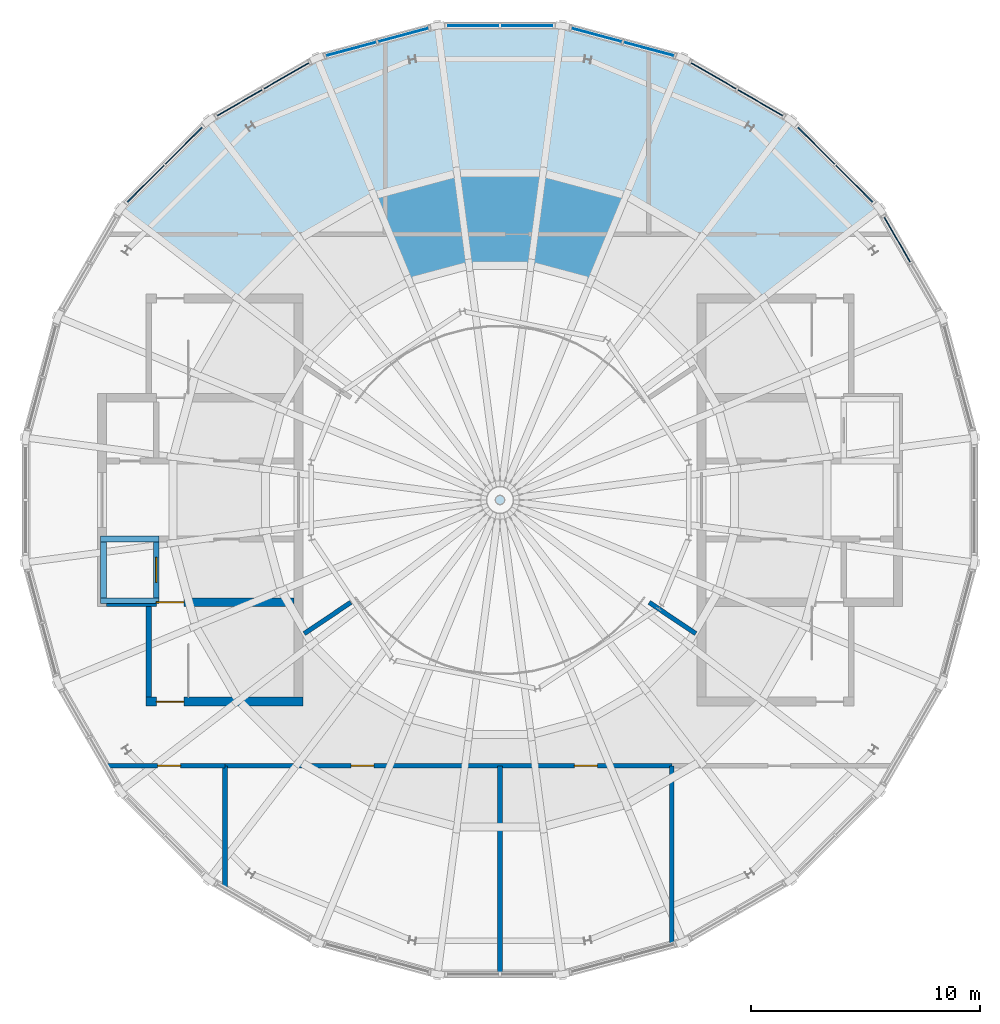
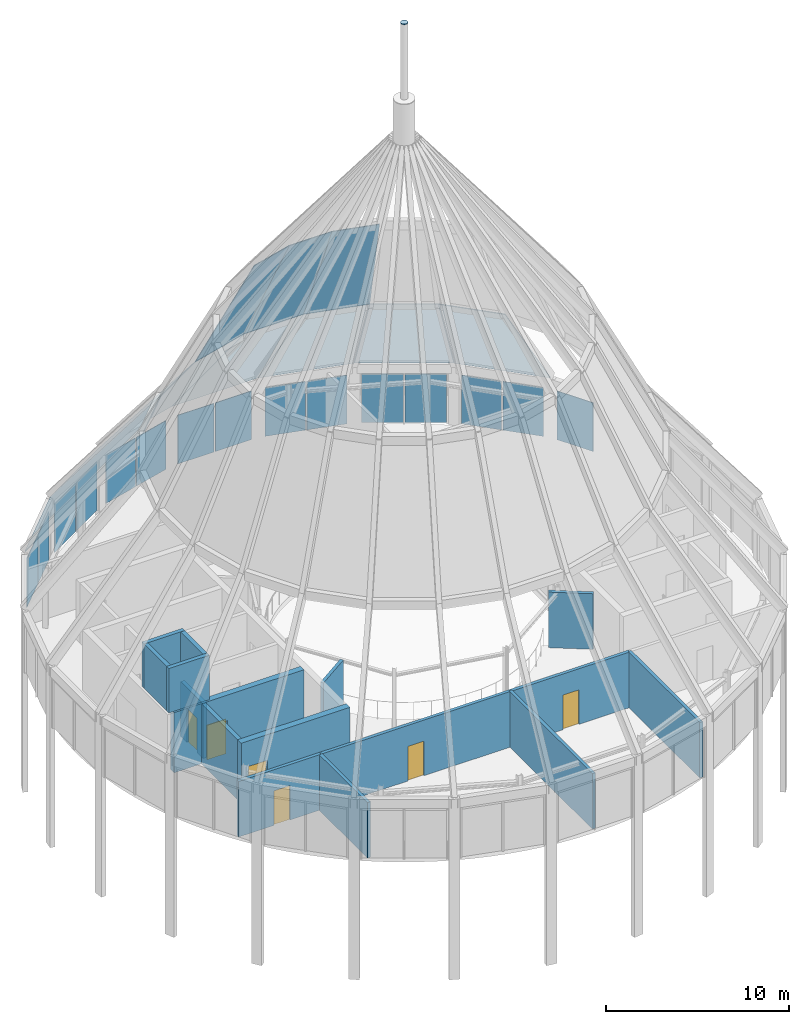
# One storey, part 13 of 16: 26 plates, 15 walls, 6 doors, 6 openings, 8 elements without a shape of their own.
"""IFC4 building model written with IfcOpenShell, lengths in metres."""

from ifc_helpers import new_model, si_unit, direction, frame, frame_2d, origin, origin_2d, place, context, subcontext, project, spatial, polyline, rectangle, outline, extrude, material, layer, layer_set, type_object, element, fill, aggregate, save


model = new_model("IFC4")

# Units and contexts
model_context = context("Model", 3, precision=1e-05, world=origin(), true_north=direction((0.0, 1.0)))
body_context = subcontext(model_context, "Body", "Model", "MODEL_VIEW")
ifc_project = project(units=[si_unit("LENGTHUNIT", "METRE"), si_unit("AREAUNIT", "SQUARE_METRE"), si_unit("VOLUMEUNIT", "CUBIC_METRE"), si_unit("PLANEANGLEUNIT", "RADIAN"), si_unit("MASSUNIT", "GRAM", prefix="KILO")], contexts=[model_context])

# Site, building, storey
site_placement = place(None, origin())
site = spatial("IfcSite", under=ifc_project, at=site_placement, CompositionType="ELEMENT")
building_placement = place(site_placement, origin())
building = spatial("IfcBuilding", under=site, at=building_placement, Name="Maasbend Ring Residences", CompositionType="ELEMENT")
storey_placement = place(building_placement, frame((0.0, 0.0, 269.5)))
storey = spatial("IfcBuildingStorey", under=building, at=storey_placement, Name="L77", CompositionType="ELEMENT", Elevation=269.5)

# Plates
ifc_material_1 = material(Name="Steel S355J2", Category="steel")
ifc_layer_1 = layer(ifc_material_1, 0.0400390625)
ifc_layer_set_1 = layer_set([ifc_layer_1], Name="Steel S355J2")
plate_type_1 = type_object("IfcPlateType", Name="CROWN-CAP", PredefinedType="USERDEFINED", material=ifc_layer_set_1)
plate_1_placement = place(storey_placement, frame((0.0, 0.0, 41.10009765625)))
element("IfcPlate", 1, at=plate_1_placement, inside=storey, type_object=plate_type_1, Name="Spire mast cap", ObjectType="CROWN FRAME", PredefinedType="USERDEFINED", context=body_context, shape_type="SweptSolid", body=[
    extrude(outline(polyline([(0.199951171875, 0.0), (0.193115234375, 0.0517578125), (0.173095703125, 0.10009765625), (0.141357421875, 0.141357421875), (0.10009765625, 0.173095703125), (0.0517578125, 0.193115234375), (0.0, 0.199951171875), (-0.0517578125, 0.193115234375), (-0.10009765625, 0.173095703125), (-0.141357421875, 0.141357421875), (-0.173095703125, 0.10009765625), (-0.193115234375, 0.0517578125), (-0.199951171875, 0.0), (-0.193115234375, -0.0517578125), (-0.173095703125, -0.10009765625), (-0.141357421875, -0.141357421875), (-0.10009765625, -0.173095703125), (-0.0517578125, -0.193115234375), (0.0, -0.199951171875), (0.0517578125, -0.193115234375), (0.10009765625, -0.173095703125), (0.141357421875, -0.141357421875), (0.173095703125, -0.10009765625), (0.193115234375, -0.0517578125), (0.199951171875, 0.0)])), origin(), (0.0, 0.0, 1.0), 0.039794921875),
])
ifc_material_2 = material(Name="Glass clear laminated", Category="glass")
ifc_layer_2 = layer(ifc_material_2, 0.044921875)
ifc_layer_set_2 = layer_set([ifc_layer_2], Name="CROWN-GLASS")
plate_type_2 = type_object("IfcPlateType", Name="CROWN-GLASS", PredefinedType="SHEET", material=ifc_layer_set_2)
plate_2_placement = place(storey_placement, frame((16.557373046875, 12.704833984375, 4.0), z_axis=(0.562145508839, 0.562145508839, 0.606617551498), x_axis=(-0.707106781187, 0.707106781187, 0.0)))
element("IfcPlate", 2, at=plate_2_placement, inside=storey, type_object=plate_type_2, Name="Crown glazing sheet", PredefinedType="SHEET", context=body_context, shape_type="SweptSolid", body=[
    extrude(outline(polyline([(0.0, 0.0), (5.44831299175963, 0.0), (4.60171834944058, 10.601313479147674), (0.84659464231905, 10.601313479147672), (0.0, 0.0)])), origin(), (0.0, 0.0, -1.0), 0.044921875),
])
plate_3_placement = place(storey_placement, frame((12.704833984375, 16.557373046875, 4.0), z_axis=(0.397490490515, 0.688495625981, 0.606609497911), x_axis=(-0.866035977707, 0.499981684888, 9.664316e-06)))
element("IfcPlate", 3, at=plate_3_placement, inside=storey, type_object=plate_type_2, Name="Crown glazing sheet", PredefinedType="SHEET", context=body_context, shape_type="SweptSolid", body=[
    extrude(outline(polyline([(0.0, 0.0), (5.448072989126844, 0.0), (4.601703592551343, 10.601175593745907), (0.8469203054736861, 10.601287467105307), (0.0, 0.0)])), origin(), (0.0, 0.0, -1.0), 0.044921875),
])
plate_4_placement = place(storey_placement, frame((7.986572265625, 19.28125, 4.0), z_axis=(0.205755374284, 0.767912969767, 0.606608932359), x_axis=(-0.965925611432, 0.258819846719, -1.10968e-05)))
element("IfcPlate", 4, at=plate_4_placement, inside=storey, type_object=plate_type_2, Name="Crown glazing sheet", PredefinedType="SHEET", context=body_context, shape_type="SweptSolid", body=[
    extrude(outline(polyline([(0.0, 0.0), (5.448112790301781, 1.1102230246251565e-16), (4.601402186144563, 10.601290007020706), (0.84654528346327, 10.60116154982748), (0.0, 0.0)])), origin(), (0.0, 0.0, -1.0), 0.044921875),
])
plate_5_placement = place(storey_placement, frame((5.50439453125, 13.288818359375, 12.427978515625), z_axis=(0.231991613921, 0.865821604581, 0.443320245547), x_axis=(-0.965928940506, 0.25880742201, 1.4338257e-05)))
element("IfcPlate", 5, at=plate_5_placement, inside=storey, type_object=plate_type_2, Name="Crown glazing sheet", PredefinedType="SHEET", context=body_context, shape_type="SweptSolid", body=[
    extrude(outline(polyline([(0.0, 0.0), (3.7548569042373616, 0.0), (3.2257794426731663, 9.066532401320881), (0.5293779883655266, 9.066635595863435), (0.0, 0.0)])), origin(), (0.0, 0.0, -1.0), 0.044921875),
])
plate_6_placement = place(storey_placement, frame((2.72412109375, 20.69140625, 4.0), z_axis=(0.0, 0.794995377605, 0.606615487428), x_axis=(-1.0, 0.0, 0.0)))
element("IfcPlate", 6, at=plate_6_placement, inside=storey, type_object=plate_type_2, Name="Crown glazing sheet", PredefinedType="SHEET", context=body_context, shape_type="SweptSolid", body=[
    extrude(outline(polyline([(0.0, 0.0), (5.4482421875, 0.0), (4.6015625, 10.601292476715138), (0.8466796875, 10.601292476715138), (0.0, 0.0)])), origin(), (0.0, 0.0, -1.0), 0.044921875),
])
plate_7_placement = place(storey_placement, frame((1.87744140625, 14.260498046875, 12.427978515625), z_axis=(0.0, 0.896368255376, 0.443310219546), x_axis=(-1.0, 0.0, 0.0)))
element("IfcPlate", 7, at=plate_7_placement, inside=storey, type_object=plate_type_2, Name="Crown glazing sheet", PredefinedType="SHEET", context=body_context, shape_type="SweptSolid", body=[
    extrude(outline(polyline([(0.0, 0.0), (3.7548828125, 0.0), (3.225830078125, 9.066533845055414), (0.529052734375, 9.066533845055414), (0.0, 0.0)])), origin(), (0.0, 0.0, -1.0), 0.044921875),
])
plate_8_placement = place(storey_placement, frame((-2.72412109375, 20.69140625, 4.0), z_axis=(-0.205755374284, 0.767912969767, 0.606608932359), x_axis=(-0.965925611432, -0.258819846719, 1.10968e-05)))
element("IfcPlate", 8, at=plate_8_placement, inside=storey, type_object=plate_type_2, Name="Crown glazing sheet", PredefinedType="SHEET", context=body_context, shape_type="SweptSolid", body=[
    extrude(outline(polyline([(0.0, 0.0), (5.448112790301781, -1.1102230246251565e-16), (4.601567506838512, 10.60116154982748), (0.8467106041572189, 10.601290007020706), (0.0, 0.0)])), origin(), (0.0, 0.0, -1.0), 0.044921875),
])
plate_9_placement = place(storey_placement, frame((-1.87744140625, 14.260498046875, 12.427978515625), z_axis=(-0.231991613921, 0.865821604581, 0.443320245547), x_axis=(-0.965928940506, -0.25880742201, -1.4338257e-05)))
element("IfcPlate", 9, at=plate_9_placement, inside=storey, type_object=plate_type_2, Name="Crown glazing sheet", PredefinedType="SHEET", context=body_context, shape_type="SweptSolid", body=[
    extrude(outline(polyline([(0.0, 0.0), (3.7548569042373616, 0.0), (3.2254789158718347, 9.066635595863435), (0.5290774615641951, 9.066532401320881), (0.0, 0.0)])), origin(), (0.0, 0.0, -1.0), 0.044921875),
])
plate_10_placement = place(storey_placement, frame((-7.986572265625, 19.28125, 4.0), z_axis=(-0.397490490515, 0.688495625981, 0.606609497911), x_axis=(-0.866035977707, -0.499981684888, -9.664316e-06)))
element("IfcPlate", 10, at=plate_10_placement, inside=storey, type_object=plate_type_2, Name="Crown glazing sheet", PredefinedType="SHEET", context=body_context, shape_type="SweptSolid", body=[
    extrude(outline(polyline([(0.0, 0.0), (5.448072989126844, 0.0), (4.60115268365316, 10.601287467105307), (0.8463693965755011, 10.601175593745907), (0.0, 0.0)])), origin(), (0.0, 0.0, -1.0), 0.044921875),
])
plate_11_placement = place(storey_placement, frame((-12.704833984375, 16.557373046875, 4.0), z_axis=(-0.562145508839, 0.562145508839, 0.606617551498), x_axis=(-0.707106781187, -0.707106781187, 0.0)))
element("IfcPlate", 11, at=plate_11_placement, inside=storey, type_object=plate_type_2, Name="Crown glazing sheet", PredefinedType="SHEET", context=body_context, shape_type="SweptSolid", body=[
    extrude(outline(polyline([(0.0, 0.0), (5.44831299175963, 0.0), (4.60171834944058, 10.601313479147674), (0.84659464231905, 10.601313479147672), (0.0, 0.0)])), origin(), (0.0, 0.0, -1.0), 0.044921875),
])

# Curtain wall, plate
ifc_material_3 = material(Name="Aluminium and clear glass", Category="aluminium")
ifc_layer_3 = layer(ifc_material_3, 0.239990234375)
ifc_layer_set_3 = layer_set([ifc_layer_3], Name="CW-CN")
curtain_wall_type = type_object("IfcCurtainWallType", Name="CW-CN", PredefinedType="NOTDEFINED", material=ifc_layer_set_3)
curtain_wall_1_placement = place(storey_placement, origin())
curtain_wall_1 = element("IfcCurtainWall", 12, at=curtain_wall_1_placement, inside=storey, type_object=curtain_wall_type, Name="Crown drum glazing 02 L77", PredefinedType="NOTDEFINED")
ifc_material_4 = material(Name="Glass clear laminated", Category="glass")
ifc_layer_4 = layer(ifc_material_4, 0.0400390625)
ifc_layer_set_4 = layer_set([ifc_layer_4], Name="CWP-CN")
plate_type_3 = type_object("IfcPlateType", Name="CWP-CN", PredefinedType="CURTAIN_PANEL", material=ifc_layer_set_4)
plate_12_placement = place(storey_placement, frame((17.32958984375, 11.3671875, 0.0), z_axis=(0.0, 0.0, 1.0), x_axis=(-0.5, 0.866025403784, 0.0)))
plate_12 = element("IfcPlate", 13, at=plate_12_placement, type_object=plate_type_3, Name="Glass panel crown cone", PredefinedType="CURTAIN_PANEL", context=body_context, shape_type="SweptSolid", body=[
    extrude(rectangle(XDim=2.26904296875, YDim=0.0400390625, at=origin_2d()), origin(), (0.0, 0.0, 1.0), 3.239990234375),
])
aggregate(curtain_wall_1, [plate_12])

# Curtain wall, plates
curtain_wall_2_placement = place(storey_placement, origin())
curtain_wall_2 = element("IfcCurtainWall", 14, at=curtain_wall_2_placement, inside=storey, type_object=curtain_wall_type, Name="Crown drum glazing 03 L77", PredefinedType="NOTDEFINED")
plate_13_placement = place(storey_placement, frame((15.465087890625, 13.797119140625, 0.0), z_axis=(0.0, 0.0, 1.0), x_axis=(-0.707106781187, 0.707106781187, 0.0)))
plate_13 = element("IfcPlate", 15, at=plate_13_placement, type_object=plate_type_3, Name="Glass panel crown cone", PredefinedType="CURTAIN_PANEL", context=body_context, shape_type="SweptSolid", body=[
    extrude(rectangle(XDim=2.26904296875, YDim=0.0400390625, at=origin_2d()), origin(), (0.0, 0.0, 1.0), 3.239990234375),
])
plate_14_placement = place(storey_placement, frame((13.797119140625, 15.465087890625, 0.0), z_axis=(0.0, 0.0, 1.0), x_axis=(-0.707106781187, 0.707106781187, 0.0)))
plate_14 = element("IfcPlate", 16, at=plate_14_placement, type_object=plate_type_3, Name="Glass panel crown cone", PredefinedType="CURTAIN_PANEL", context=body_context, shape_type="SweptSolid", body=[
    extrude(rectangle(XDim=2.26904296875, YDim=0.0400390625, at=origin_2d()), origin(), (0.0, 0.0, 1.0), 3.239990234375),
])
aggregate(curtain_wall_2, [plate_13, plate_14])

curtain_wall_3_placement = place(storey_placement, origin())
curtain_wall_3 = element("IfcCurtainWall", 17, at=curtain_wall_3_placement, inside=storey, type_object=curtain_wall_type, Name="Crown drum glazing 04 L77", PredefinedType="NOTDEFINED")
plate_15_placement = place(storey_placement, frame((11.3671875, 17.32958984375, 0.0), z_axis=(0.0, 0.0, 1.0), x_axis=(-0.866025403784, 0.5, 0.0)))
plate_15 = element("IfcPlate", 18, at=plate_15_placement, type_object=plate_type_3, Name="Glass panel crown cone", PredefinedType="CURTAIN_PANEL", context=body_context, shape_type="SweptSolid", body=[
    extrude(rectangle(XDim=2.26904296875, YDim=0.0400390625, at=origin_2d()), origin(), (0.0, 0.0, 1.0), 3.239990234375),
])
plate_16_placement = place(storey_placement, frame((9.32421875, 18.509033203125, 0.0), z_axis=(0.0, 0.0, 1.0), x_axis=(-0.866025403784, 0.5, 0.0)))
plate_16 = element("IfcPlate", 19, at=plate_16_placement, type_object=plate_type_3, Name="Glass panel crown cone", PredefinedType="CURTAIN_PANEL", context=body_context, shape_type="SweptSolid", body=[
    extrude(rectangle(XDim=2.26904296875, YDim=0.0400390625, at=origin_2d()), origin(), (0.0, 0.0, 1.0), 3.239990234375),
])
aggregate(curtain_wall_3, [plate_15, plate_16])

curtain_wall_4_placement = place(storey_placement, origin())
curtain_wall_4 = element("IfcCurtainWall", 20, at=curtain_wall_4_placement, inside=storey, type_object=curtain_wall_type, Name="Crown drum glazing 05 L77", PredefinedType="NOTDEFINED")
plate_17_placement = place(storey_placement, frame((6.49462890625, 19.68115234375, 0.0), z_axis=(0.0, 0.0, 1.0), x_axis=(-0.965925826289, 0.258819045103, 0.0)))
plate_17 = element("IfcPlate", 21, at=plate_17_placement, type_object=plate_type_3, Name="Glass panel crown cone", PredefinedType="CURTAIN_PANEL", context=body_context, shape_type="SweptSolid", body=[
    extrude(rectangle(XDim=2.26904296875, YDim=0.0400390625, at=origin_2d()), origin(), (0.0, 0.0, 1.0), 3.239990234375),
])
plate_18_placement = place(storey_placement, frame((4.216064453125, 20.291748046875, 0.0), z_axis=(0.0, 0.0, 1.0), x_axis=(-0.965925826289, 0.258819045103, 0.0)))
plate_18 = element("IfcPlate", 22, at=plate_18_placement, type_object=plate_type_3, Name="Glass panel crown cone", PredefinedType="CURTAIN_PANEL", context=body_context, shape_type="SweptSolid", body=[
    extrude(rectangle(XDim=2.26904296875, YDim=0.0400390625, at=origin_2d()), origin(), (0.0, 0.0, 1.0), 3.239990234375),
])
aggregate(curtain_wall_4, [plate_17, plate_18])

curtain_wall_5_placement = place(storey_placement, origin())
curtain_wall_5 = element("IfcCurtainWall", 23, at=curtain_wall_5_placement, inside=storey, type_object=curtain_wall_type, Name="Crown drum glazing 06 L77", PredefinedType="NOTDEFINED")
plate_19_placement = place(storey_placement, frame((1.179443359375, 20.69140625, 0.0), z_axis=(0.0, 0.0, 1.0), x_axis=(-1.0, 0.0, 0.0)))
plate_19 = element("IfcPlate", 24, at=plate_19_placement, type_object=plate_type_3, Name="Glass panel crown cone", PredefinedType="CURTAIN_PANEL", context=body_context, shape_type="SweptSolid", body=[
    extrude(rectangle(XDim=2.26904296875, YDim=0.0400390625, at=origin_2d()), origin(), (0.0, 0.0, 1.0), 3.239990234375),
])
plate_20_placement = place(storey_placement, frame((-1.179443359375, 20.69140625, 0.0), z_axis=(0.0, 0.0, 1.0), x_axis=(-1.0, 0.0, 0.0)))
plate_20 = element("IfcPlate", 25, at=plate_20_placement, type_object=plate_type_3, Name="Glass panel crown cone", PredefinedType="CURTAIN_PANEL", context=body_context, shape_type="SweptSolid", body=[
    extrude(rectangle(XDim=2.26904296875, YDim=0.0400390625, at=origin_2d()), origin(), (0.0, 0.0, 1.0), 3.239990234375),
])
aggregate(curtain_wall_5, [plate_19, plate_20])

curtain_wall_6_placement = place(storey_placement, origin())
curtain_wall_6 = element("IfcCurtainWall", 26, at=curtain_wall_6_placement, inside=storey, type_object=curtain_wall_type, Name="Crown drum glazing 07 L77", PredefinedType="NOTDEFINED")
plate_21_placement = place(storey_placement, frame((-4.216064453125, 20.291748046875, 0.0), z_axis=(0.0, 0.0, 1.0), x_axis=(-0.965925826289, -0.258819045103, 0.0)))
plate_21 = element("IfcPlate", 27, at=plate_21_placement, type_object=plate_type_3, Name="Glass panel crown cone", PredefinedType="CURTAIN_PANEL", context=body_context, shape_type="SweptSolid", body=[
    extrude(rectangle(XDim=2.26904296875, YDim=0.0400390625, at=origin_2d()), origin(), (0.0, 0.0, 1.0), 3.239990234375),
])
plate_22_placement = place(storey_placement, frame((-6.49462890625, 19.68115234375, 0.0), z_axis=(0.0, 0.0, 1.0), x_axis=(-0.965925826289, -0.258819045103, 0.0)))
plate_22 = element("IfcPlate", 28, at=plate_22_placement, type_object=plate_type_3, Name="Glass panel crown cone", PredefinedType="CURTAIN_PANEL", context=body_context, shape_type="SweptSolid", body=[
    extrude(rectangle(XDim=2.26904296875, YDim=0.0400390625, at=origin_2d()), origin(), (0.0, 0.0, 1.0), 3.239990234375),
])
aggregate(curtain_wall_6, [plate_21, plate_22])

curtain_wall_7_placement = place(storey_placement, origin())
curtain_wall_7 = element("IfcCurtainWall", 29, at=curtain_wall_7_placement, inside=storey, type_object=curtain_wall_type, Name="Crown drum glazing 08 L77", PredefinedType="NOTDEFINED")
plate_23_placement = place(storey_placement, frame((-9.32421875, 18.509033203125, 0.0), z_axis=(0.0, 0.0, 1.0), x_axis=(-0.866025403784, -0.5, 0.0)))
plate_23 = element("IfcPlate", 30, at=plate_23_placement, type_object=plate_type_3, Name="Glass panel crown cone", PredefinedType="CURTAIN_PANEL", context=body_context, shape_type="SweptSolid", body=[
    extrude(rectangle(XDim=2.26904296875, YDim=0.0400390625, at=origin_2d()), origin(), (0.0, 0.0, 1.0), 3.239990234375),
])
plate_24_placement = place(storey_placement, frame((-11.3671875, 17.32958984375, 0.0), z_axis=(0.0, 0.0, 1.0), x_axis=(-0.866025403784, -0.5, 0.0)))
plate_24 = element("IfcPlate", 31, at=plate_24_placement, type_object=plate_type_3, Name="Glass panel crown cone", PredefinedType="CURTAIN_PANEL", context=body_context, shape_type="SweptSolid", body=[
    extrude(rectangle(XDim=2.26904296875, YDim=0.0400390625, at=origin_2d()), origin(), (0.0, 0.0, 1.0), 3.239990234375),
])
aggregate(curtain_wall_7, [plate_23, plate_24])

curtain_wall_8_placement = place(storey_placement, origin())
curtain_wall_8 = element("IfcCurtainWall", 32, at=curtain_wall_8_placement, inside=storey, type_object=curtain_wall_type, Name="Crown drum glazing 09 L77", PredefinedType="NOTDEFINED")
plate_25_placement = place(storey_placement, frame((-13.797119140625, 15.465087890625, 0.0), z_axis=(0.0, 0.0, 1.0), x_axis=(-0.707106781187, -0.707106781187, 0.0)))
plate_25 = element("IfcPlate", 33, at=plate_25_placement, type_object=plate_type_3, Name="Glass panel crown cone", PredefinedType="CURTAIN_PANEL", context=body_context, shape_type="SweptSolid", body=[
    extrude(rectangle(XDim=2.26904296875, YDim=0.0400390625, at=origin_2d()), origin(), (0.0, 0.0, 1.0), 3.239990234375),
])
plate_26_placement = place(storey_placement, frame((-15.465087890625, 13.797119140625, 0.0), z_axis=(0.0, 0.0, 1.0), x_axis=(-0.707106781187, -0.707106781187, 0.0)))
plate_26 = element("IfcPlate", 34, at=plate_26_placement, type_object=plate_type_3, Name="Glass panel crown cone", PredefinedType="CURTAIN_PANEL", context=body_context, shape_type="SweptSolid", body=[
    extrude(rectangle(XDim=2.26904296875, YDim=0.0400390625, at=origin_2d()), origin(), (0.0, 0.0, 1.0), 3.239990234375),
])
aggregate(curtain_wall_8, [plate_25, plate_26])

# Wall, openings, doors
ifc_material_5 = material(Name="Concrete C30/37", Category="concrete")
ifc_layer_5 = layer(ifc_material_5, 0.199951171875)
ifc_layer_set_5 = layer_set([ifc_layer_5], Name="Concrete C30/37")
wall_type_1 = type_object("IfcWallType", Name="COMPARTMENT WALL 200 CONCRETE", PredefinedType="PARTITIONING", material=ifc_layer_set_5)
wall_1_placement = place(storey_placement, frame((-12.0, -11.60009765625, 0.0), z_axis=(0.0, 0.0, 1.0), x_axis=(1.0, 0.0, 0.0)))
wall_1 = element("IfcWall", 35, at=wall_1_placement, inside=storey, type_object=wall_type_1, Name="U-L77-w002", PredefinedType="PARTITIONING", context=body_context, shape_type="SweptSolid", body=[
    extrude(rectangle(XDim=19.5, YDim=0.199951171875, at=frame_2d((9.75, 0.0))), origin(), (0.0, 0.0, 1.0), 3.699951171875),
])
opening_1_placement = place(wall_1_placement, frame((5.5, 0.0, 0.0)))
opening_1 = element("IfcOpeningElement", 36, at=opening_1_placement, cuts=wall_1, Name="Opening D-7705", PredefinedType="OPENING", context=body_context, shape_type="SweptSolid", body=[
    extrude(rectangle(XDim=1.0, YDim=2.300048828125, at=frame_2d((0.5, 1.14990234375))), frame((0.0, 0.10986328125, 0.0), z_axis=(0.0, -1.0, 0.0), x_axis=(1.0, 0.0, 0.0)), (0.0, 0.0, 1.0), 0.219970703125),
])
opening_2_placement = place(wall_1_placement, frame((15.25, 0.0, 0.0)))
opening_2 = element("IfcOpeningElement", 37, at=opening_2_placement, cuts=wall_1, Name="Opening D-7706", PredefinedType="OPENING", context=body_context, shape_type="SweptSolid", body=[
    extrude(rectangle(XDim=1.0, YDim=2.300048828125, at=frame_2d((0.5, 1.14990234375))), frame((0.0, 0.10986328125, 0.0), z_axis=(0.0, -1.0, 0.0), x_axis=(1.0, 0.0, 0.0)), (0.0, 0.0, 1.0), 0.219970703125),
])
ifc_material_6 = material(Name="Steel, fire-rated, painted", Category="steel")
door_type_1 = type_object("IfcDoorType", Name="PLANT DOOR 1000 X 2300 FIRE-RATED", OperationType="NOTDEFINED", PredefinedType="DOOR", material=ifc_material_6)
door_1_placement = place(opening_1_placement, origin())
door_1 = element("IfcDoor", 38, at=door_1_placement, inside=storey, type_object=door_type_1, Name="D-7705", OperationType="SINGLE_SWING_LEFT", OverallHeight=2.300048828125, OverallWidth=1.0, PredefinedType="DOOR", context=body_context, shape_type="SweptSolid", body=[
    extrude(rectangle(XDim=1.0, YDim=2.300048828125, at=frame_2d((0.5, 1.14990234375))), frame((0.0, 0.02490234375, 0.0), z_axis=(0.0, -1.0, 0.0), x_axis=(1.0, 0.0, 0.0)), (0.0, 0.0, 1.0), 0.050048828125),
])
fill(opening_1, door_1)
door_2_placement = place(opening_2_placement, origin())
door_2 = element("IfcDoor", 39, at=door_2_placement, inside=storey, type_object=door_type_1, Name="D-7706", OperationType="SINGLE_SWING_RIGHT", OverallHeight=2.300048828125, OverallWidth=1.0, PredefinedType="DOOR", context=body_context, shape_type="SweptSolid", body=[
    extrude(rectangle(XDim=1.0, YDim=2.300048828125, at=frame_2d((0.5, 1.14990234375))), frame((0.0, 0.02490234375, 0.0), z_axis=(0.0, -1.0, 0.0), x_axis=(1.0, 0.0, 0.0)), (0.0, 0.0, 1.0), 0.050048828125),
])
fill(opening_2, door_2)

# Walls
wall_2_placement = place(storey_placement, frame((7.5, -19.407958984375, 0.0), z_axis=(0.0, 0.0, 1.0), x_axis=(0.0, 1.0, 0.0)))
element("IfcWall", 40, at=wall_2_placement, inside=storey, type_object=wall_type_1, Name="U-L77-w004", PredefinedType="PARTITIONING", context=body_context, shape_type="SweptSolid", body=[
    extrude(rectangle(XDim=7.807861328125, YDim=0.199951171875, at=frame_2d((3.90380859375, 0.0))), origin(), (0.0, 0.0, 1.0), 3.699951171875),
])
wall_3_placement = place(storey_placement, frame((0.0, -20.69091796875, 0.0), z_axis=(0.0, 0.0, 1.0), x_axis=(0.0, 1.0, 0.0)))
element("IfcWall", 41, at=wall_3_placement, inside=storey, type_object=wall_type_1, Name="U-L77-w008", PredefinedType="PARTITIONING", context=body_context, shape_type="SweptSolid", body=[
    extrude(rectangle(XDim=9.0908203125, YDim=0.199951171875, at=frame_2d((4.54541015625, 0.0))), origin(), (0.0, 0.0, 1.0), 3.699951171875),
])
wall_4_placement = place(storey_placement, frame((-12.0, -16.946044921875, 0.0), z_axis=(0.0, 0.0, 1.0), x_axis=(0.0, 1.0, 0.0)))
element("IfcWall", 42, at=wall_4_placement, inside=storey, type_object=wall_type_1, Name="U-L77-w013", PredefinedType="PARTITIONING", context=body_context, shape_type="SweptSolid", body=[
    extrude(rectangle(XDim=5.345947265625, YDim=0.199951171875, at=frame_2d((2.6728515625, 0.0))), origin(), (0.0, 0.0, 1.0), 3.699951171875),
])
ifc_material_7 = material(Name="Concrete C50/60", Category="concrete")
ifc_layer_6 = layer(ifc_material_7, 0.25)
ifc_layer_set_6 = layer_set([ifc_layer_6], Name="Concrete C50/60")
wall_type_2 = type_object("IfcWallType", Name="CORE WALL 250 C50/60", PredefinedType="SHEAR", material=ifc_layer_set_6)
wall_5_placement = place(storey_placement, frame((-15.324951171875, -4.64990234375, 0.0), z_axis=(0.0, 0.0, 1.0), x_axis=(0.0, -1.0, 0.0)))
element("IfcWall", 43, at=wall_5_placement, inside=storey, type_object=wall_type_2, Name="L77 core W wall STEN", PredefinedType="SHEAR", context=body_context, shape_type="SweptSolid", body=[
    extrude(rectangle(XDim=3.9501953125, YDim=0.25, at=frame_2d((1.97509765625, 0.0))), origin(), (0.0, 0.0, 1.0), 4.0),
])
for number, where, z_axis, x_axis, name in (
    (44, (-15.0, -1.824951171875, 4.0), (0.0, 0.0, 1.0), (0.0, -1.0, 0.0), "Lift head house wall FF-W"),
    (45, (-17.300048828125, -1.824951171875, 4.0), (0.0, 0.0, 1.0), (0.0, -1.0, 0.0), "Lift head house wall FF-W"),
):
    element("IfcWall", number, at=place(storey_placement, frame(where, z_axis=z_axis, x_axis=x_axis)), inside=storey, type_object=wall_type_2, Name=name, PredefinedType="SHEAR", context=body_context, shape_type="SweptSolid", body=[
        extrude(rectangle(XDim=2.449951171875, YDim=0.25, at=frame_2d((1.22509765625, 0.0))), origin(), (0.0, 0.0, 1.0), 2.949951171875),
    ])
for number, where, z_axis, x_axis, name in (
    (46, (-14.875, -1.699951171875, 4.0), (0.0, 0.0, 1.0), (-1.0, 0.0, 0.0), "Lift head house wall FF-W"),
    (47, (-14.875, -4.39990234375, 4.0), (0.0, 0.0, 1.0), (-1.0, 0.0, 0.0), "Lift head house wall FF-W"),
):
    element("IfcWall", number, at=place(storey_placement, frame(where, z_axis=z_axis, x_axis=x_axis)), inside=storey, type_object=wall_type_2, Name=name, PredefinedType="SHEAR", context=body_context, shape_type="SweptSolid", body=[
        extrude(rectangle(XDim=2.550048828125, YDim=0.25, at=frame_2d((1.27490234375, 0.0))), origin(), (0.0, 0.0, 1.0), 2.949951171875),
    ])

# Wall, opening, door
ifc_material_8 = material(Name="Concrete C50/60", Category="concrete")
ifc_layer_7 = layer(ifc_material_8, 0.375)
ifc_layer_set_7 = layer_set([ifc_layer_7], Name="Concrete C50/60")
wall_type_3 = type_object("IfcWallType", Name="CORE WALL 375 C50/60", PredefinedType="SHEAR", material=ifc_layer_set_7)
wall_6_placement = place(storey_placement, frame((-9.0, -4.46240234375, 0.0), z_axis=(0.0, 0.0, 1.0), x_axis=(-1.0, 0.0, 0.0)))
wall_6 = element("IfcWall", 48, at=wall_6_placement, inside=storey, type_object=wall_type_3, Name="L77 core W wall BN", PredefinedType="SHEAR", context=body_context, shape_type="SweptSolid", body=[
    extrude(rectangle(XDim=8.175048828125, YDim=0.375, at=frame_2d((4.08740234375, 0.0))), origin(), (0.0, 0.0, 1.0), 4.0),
])
opening_3_placement = place(wall_6_placement, frame((4.800048828125, 0.0, 0.0)))
opening_3 = element("IfcOpeningElement", 49, at=opening_3_placement, cuts=wall_6, Name="Opening D-W7705", PredefinedType="OPENING", context=body_context, shape_type="SweptSolid", body=[
    extrude(rectangle(XDim=1.199951171875, YDim=2.300048828125, at=frame_2d((0.60009765625, 1.14990234375))), frame((0.0, 0.197509765625, 0.0), z_axis=(0.0, -1.0, 0.0), x_axis=(1.0, 0.0, 0.0)), (0.0, 0.0, 1.0), 0.39501953125),
])
ifc_material_9 = material(Name="Steel, powder coated", Category="steel")
door_type_2 = type_object("IfcDoorType", Name="STAIR DOOR 1200 X 2300 FD60", OperationType="NOTDEFINED", PredefinedType="DOOR", material=ifc_material_9)
door_3_placement = place(opening_3_placement, origin())
door_3 = element("IfcDoor", 50, at=door_3_placement, inside=storey, type_object=door_type_2, Name="Stair door ST-W L77", OperationType="SINGLE_SWING_LEFT", OverallHeight=2.300048828125, OverallWidth=1.199951171875, PredefinedType="DOOR", context=body_context, shape_type="SweptSolid", body=[
    extrude(rectangle(XDim=1.199951171875, YDim=2.300048828125, at=frame_2d((0.60009765625, 1.14990234375))), frame((0.0, 0.02490234375, 0.0), z_axis=(0.0, -1.0, 0.0), x_axis=(1.0, 0.0, 0.0)), (0.0, 0.0, 1.0), 0.050048828125),
])
fill(opening_3, door_3)

ifc_material_10 = material(Name="Concrete C50/60", Category="concrete")
ifc_layer_8 = layer(ifc_material_10, 0.39990234375)
ifc_layer_set_8 = layer_set([ifc_layer_8], Name="Concrete C50/60")
wall_type_4 = type_object("IfcWallType", Name="CORE WALL 400 C50/60", PredefinedType="SHEAR", material=ifc_layer_set_8)
wall_7_placement = place(storey_placement, frame((-15.449951171875, -8.800048828125, 0.0), z_axis=(0.0, 0.0, 1.0), x_axis=(1.0, 0.0, 0.0)))
wall_7 = element("IfcWall", 51, at=wall_7_placement, inside=storey, type_object=wall_type_4, Name="L77 core W wall PN", PredefinedType="SHEAR", context=body_context, shape_type="SweptSolid", body=[
    extrude(rectangle(XDim=6.849853515625, YDim=0.39990234375, at=frame_2d((3.4248046875, 0.0))), origin(), (0.0, 0.0, 1.0), 4.0),
])
opening_4_placement = place(wall_7_placement, frame((0.449951171875, 0.0, 0.0)))
opening_4 = element("IfcOpeningElement", 52, at=opening_4_placement, cuts=wall_7, Name="Opening D-W7707", PredefinedType="OPENING", context=body_context, shape_type="SweptSolid", body=[
    extrude(rectangle(XDim=1.199951171875, YDim=2.300048828125, at=frame_2d((0.60009765625, 1.14990234375))), frame((0.0, 0.2099609375, 0.0), z_axis=(0.0, -1.0, 0.0), x_axis=(1.0, 0.0, 0.0)), (0.0, 0.0, 1.0), 0.419921875),
])
door_4_placement = place(opening_4_placement, origin())
door_4 = element("IfcDoor", 53, at=door_4_placement, inside=storey, type_object=door_type_2, Name="Stair door ST-W L77", OperationType="SINGLE_SWING_RIGHT", OverallHeight=2.300048828125, OverallWidth=1.199951171875, PredefinedType="DOOR", context=body_context, shape_type="SweptSolid", body=[
    extrude(rectangle(XDim=1.199951171875, YDim=2.300048828125, at=frame_2d((0.60009765625, 1.14990234375))), frame((0.0, 0.02490234375, 0.0), z_axis=(0.0, -1.0, 0.0), x_axis=(1.0, 0.0, 0.0)), (0.0, 0.0, 1.0), 0.050048828125),
])
fill(opening_4, door_4)

ifc_material_11 = material(Name="Concrete C30/37", Category="concrete")
ifc_layer_9 = layer(ifc_material_11, 0.199951171875)
ifc_layer_set_9 = layer_set([ifc_layer_9], Name="Concrete C30/37")
wall_type_5 = type_object("IfcWallType", Name="CORRIDOR WALL 200 CONCRETE", PredefinedType="PARTITIONING", material=ifc_layer_set_9)
wall_8_placement = place(storey_placement, frame((-17.177001953125, -11.60009765625, 0.0), z_axis=(0.0, 0.0, 1.0), x_axis=(1.0, 0.0, 0.0)))
wall_8 = element("IfcWall", 54, at=wall_8_placement, inside=storey, type_object=wall_type_5, Name="U-L77-w001", PredefinedType="PARTITIONING", context=body_context, shape_type="SweptSolid", body=[
    extrude(rectangle(XDim=5.177001953125, YDim=0.199951171875, at=frame_2d((2.58837890625, 0.0))), origin(), (0.0, 0.0, 1.0), 3.699951171875),
])
opening_5_placement = place(wall_8_placement, frame((2.240966796875, 0.0, 0.0)))
opening_5 = element("IfcOpeningElement", 55, at=opening_5_placement, cuts=wall_8, Name="Opening D-7704", PredefinedType="OPENING", context=body_context, shape_type="SweptSolid", body=[
    extrude(rectangle(XDim=1.0, YDim=2.300048828125, at=frame_2d((0.5, 1.14990234375))), frame((0.0, 0.10986328125, 0.0), z_axis=(0.0, -1.0, 0.0), x_axis=(1.0, 0.0, 0.0)), (0.0, 0.0, 1.0), 0.219970703125),
])
ifc_material_12 = material(Name="Timber, painted", Category="wood")
door_type_3 = type_object("IfcDoorType", Name="ROOM DOOR 1000 X 2300", OperationType="NOTDEFINED", PredefinedType="DOOR", material=ifc_material_12)
door_5_placement = place(opening_5_placement, origin())
door_5 = element("IfcDoor", 56, at=door_5_placement, inside=storey, type_object=door_type_3, Name="D-7704", OperationType="SINGLE_SWING_LEFT", OverallHeight=2.300048828125, OverallWidth=1.0, PredefinedType="DOOR", context=body_context, shape_type="SweptSolid", body=[
    extrude(rectangle(XDim=1.0, YDim=2.300048828125, at=frame_2d((0.5, 1.14990234375))), frame((0.0, 0.02490234375, 0.0), z_axis=(0.0, -1.0, 0.0), x_axis=(1.0, 0.0, 0.0)), (0.0, 0.0, 1.0), 0.050048828125),
])
fill(opening_5, door_5)

# Walls
ifc_material_13 = material(Name="Concrete C30/37", Category="concrete")
ifc_layer_10 = layer(ifc_material_13, 0.199951171875)
ifc_layer_set_10 = layer_set([ifc_layer_10], Name="Concrete C30/37")
wall_type_6 = type_object("IfcWallType", Name="PARTY WALL 200 CONCRETE", PredefinedType="PARTITIONING", material=ifc_layer_set_10)
for number, where, z_axis, x_axis, name in (
    (57, (-6.512939453125, -4.471923828125, 0.0), (0.0, 0.0, 1.0), (-0.831450132577, -0.555599385382, 0.0), "U-L77-w006"),
    (58, (6.512939453125, -4.471923828125, 0.0), (0.0, 0.0, 1.0), (0.831450132577, -0.555599385382, 0.0), "U-L77-w007"),
):
    element("IfcWall", number, at=place(storey_placement, frame(where, z_axis=z_axis, x_axis=x_axis)), inside=storey, type_object=wall_type_6, Name=name, PredefinedType="PARTITIONING", context=body_context, shape_type="SweptSolid", body=[
        extrude(rectangle(XDim=2.442626953125, YDim=0.199951171875, at=frame_2d((1.22119140625, 0.0))), origin(), (0.0, 0.0, 1.0), 3.699951171875),
    ])

# Wall, opening, door
ifc_material_14 = material(Name="Concrete C30/37", Category="concrete")
ifc_layer_11 = layer(ifc_material_14, 0.25)
ifc_layer_set_11 = layer_set([ifc_layer_11], Name="Concrete C30/37")
wall_type_7 = type_object("IfcWallType", Name="SHAFT WALL 250 EI 120", PredefinedType="SOLIDWALL", material=ifc_layer_set_11)
wall_9_placement = place(storey_placement, frame((-15.0, -1.824951171875, 0.0), z_axis=(0.0, 0.0, 1.0), x_axis=(0.0, -1.0, 0.0)))
wall_9 = element("IfcWall", 59, at=wall_9_placement, inside=storey, type_object=wall_type_7, Name="L77 core W wall D150N", PredefinedType="SOLIDWALL", context=body_context, shape_type="SweptSolid", body=[
    extrude(rectangle(XDim=2.449951171875, YDim=0.25, at=frame_2d((1.22509765625, 0.0))), origin(), (0.0, 0.0, 1.0), 3.64990234375),
])
opening_6_placement = place(wall_9_placement, frame((0.675048828125, 0.0, 0.0)))
opening_6 = element("IfcOpeningElement", 60, at=opening_6_placement, cuts=wall_9, Name="Opening LD-W7701", PredefinedType="OPENING", context=body_context, shape_type="SweptSolid", body=[
    extrude(rectangle(XDim=1.10009765625, YDim=2.300048828125, at=frame_2d((0.550048828125, 1.14990234375))), frame((0.0, 0.135009765625, 0.0), z_axis=(0.0, -1.0, 0.0), x_axis=(1.0, 0.0, 0.0)), (0.0, 0.0, 1.0), 0.27001953125),
])
ifc_material_15 = material(Name="Stainless steel 316", Category="steel")
door_type_4 = type_object("IfcDoorType", Name="LANDING DOOR 1100 X 2300 FD60", OperationType="DOUBLE_DOOR_SLIDING", PredefinedType="DOOR", material=ifc_material_15)
door_6_placement = place(opening_6_placement, origin())
door_6 = element("IfcDoor", 61, at=door_6_placement, inside=storey, type_object=door_type_4, Name="Landing door FF-W L77", OperationType="DOUBLE_DOOR_SLIDING", OverallHeight=2.300048828125, OverallWidth=1.10009765625, PredefinedType="DOOR", context=body_context, shape_type="SweptSolid", body=[
    extrude(rectangle(XDim=1.10009765625, YDim=2.300048828125, at=frame_2d((0.550048828125, 1.14990234375))), frame((0.0, 0.02490234375, 0.0), z_axis=(0.0, -1.0, 0.0), x_axis=(1.0, 0.0, 0.0)), (0.0, 0.0, 1.0), 0.050048828125),
])
fill(opening_6, door_6)

save(model, "model.ifc")
